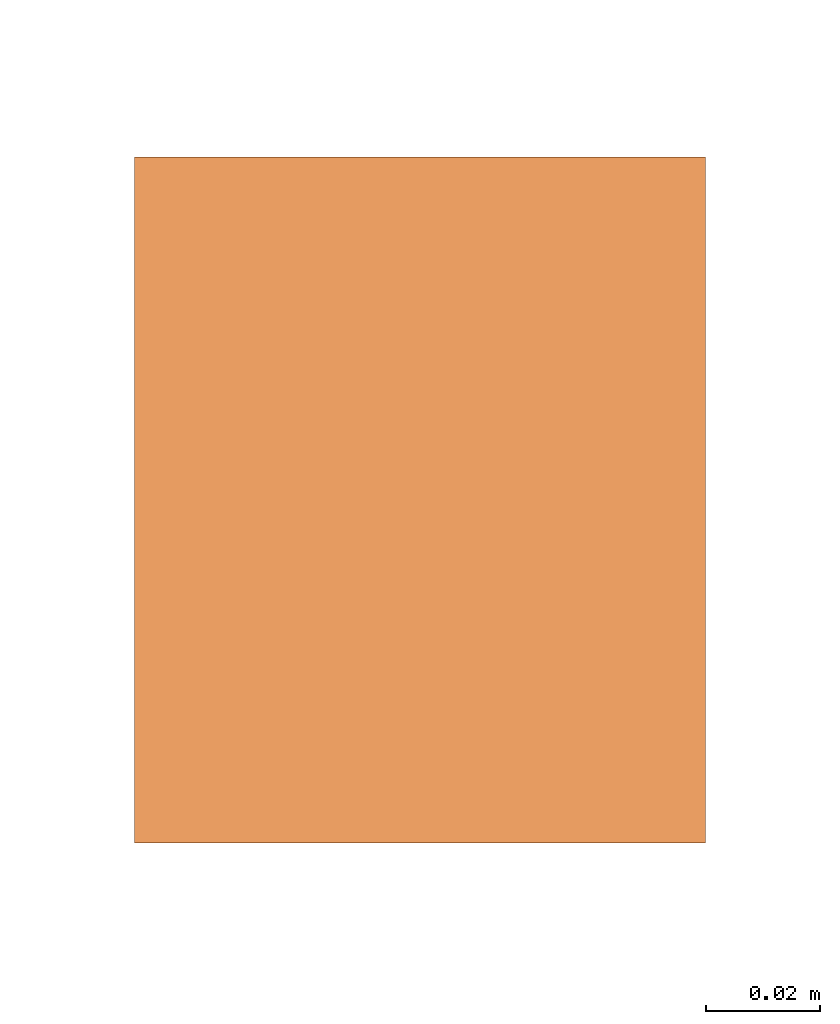
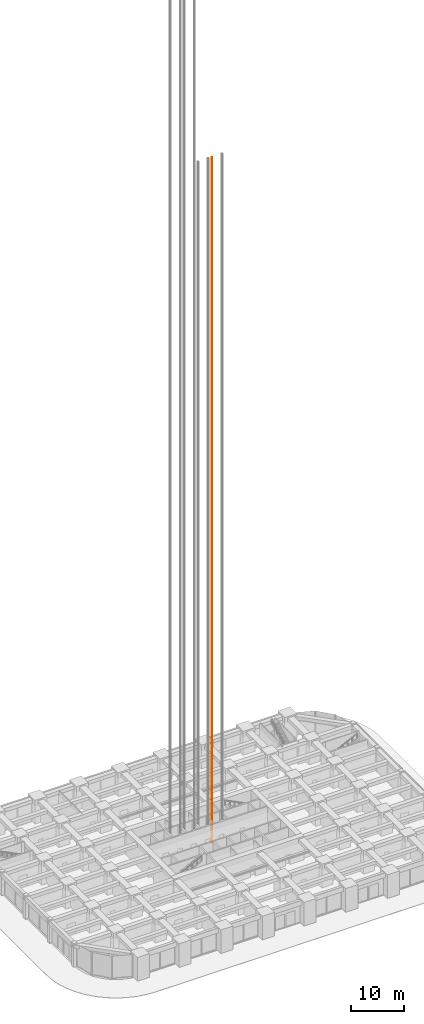
# One storey, part 54 of 56: 1 proxy.
"""IFC4 building model written with IfcOpenShell, lengths in metres."""

from ifc_helpers import new_model, si_unit, direction, frame, origin, origin_2d, place, context, subcontext, project, spatial, rectangle, extrude, element, save


model = new_model("IFC4")

# Units and contexts
model_context = context("Model", 3, precision=1e-05, world=origin(), true_north=direction((0.0, 1.0)))
body_context = subcontext(model_context, "Body", "Model", "MODEL_VIEW")
ifc_project = project(units=[si_unit("LENGTHUNIT", "METRE"), si_unit("AREAUNIT", "SQUARE_METRE"), si_unit("VOLUMEUNIT", "CUBIC_METRE"), si_unit("PLANEANGLEUNIT", "RADIAN"), si_unit("MASSUNIT", "GRAM", prefix="KILO")], contexts=[model_context])

# Site, building, storey
site_placement = place(None, origin())
site = spatial("IfcSite", under=ifc_project, at=site_placement, CompositionType="ELEMENT")
building_placement = place(site_placement, origin())
building = spatial("IfcBuilding", under=site, at=building_placement, Name="Zorevar Civic Tower", CompositionType="ELEMENT")
storey_placement = place(building_placement, origin())
storey = spatial("IfcBuildingStorey", under=building, at=storey_placement, Name="L00", CompositionType="ELEMENT", Elevation=0.0)

# Proxy
proxy_placement = place(storey_placement, frame((33.39990234375, 30.89990234375, 0.0), z_axis=(0.0, 0.0, 1.0), x_axis=(1.0, 0.0, 0.0)))
element("IfcBuildingElementProxy", 1, at=proxy_placement, inside=storey, Name="Passenger lift LM1 guide rail 1", PredefinedType="NOTDEFINED", context=body_context, shape_type="SweptSolid", body=[
    extrude(rectangle(XDim=0.10009765625, YDim=0.1201171875, at=origin_2d()), origin(), (0.0, 0.0, 1.0), 156.5),
])

save(model, "model.ifc")
